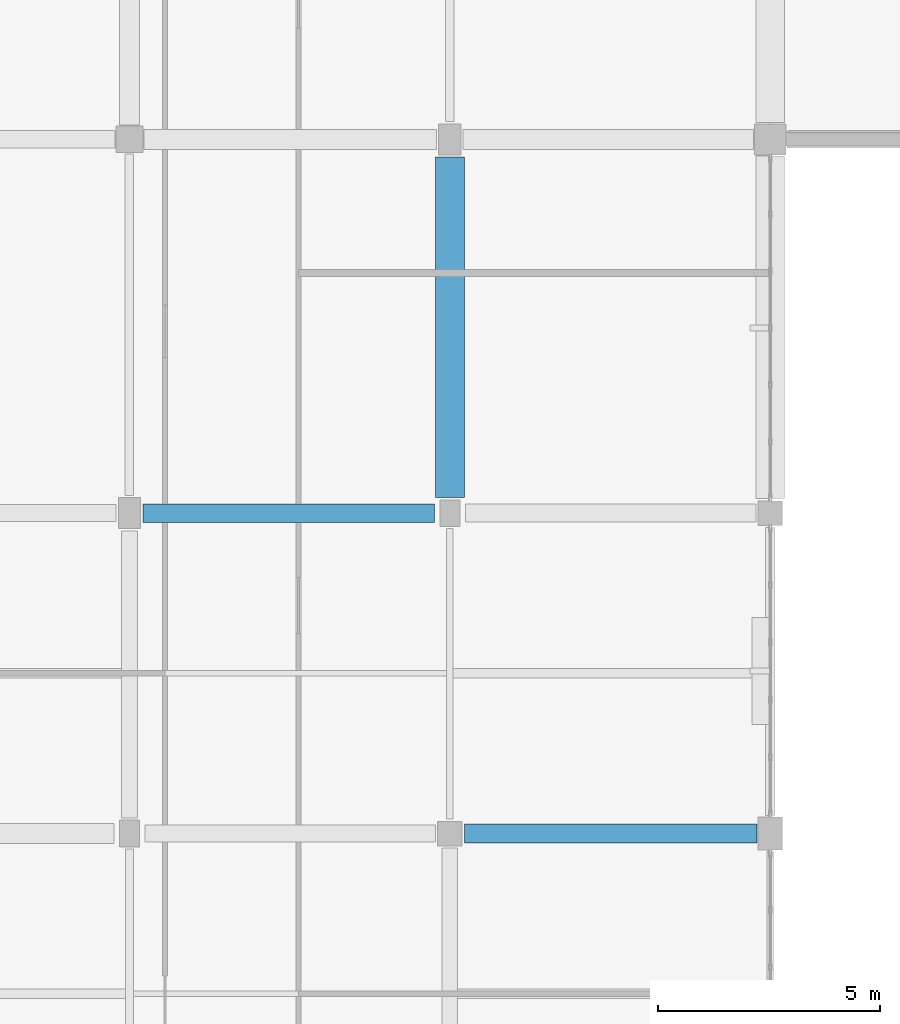
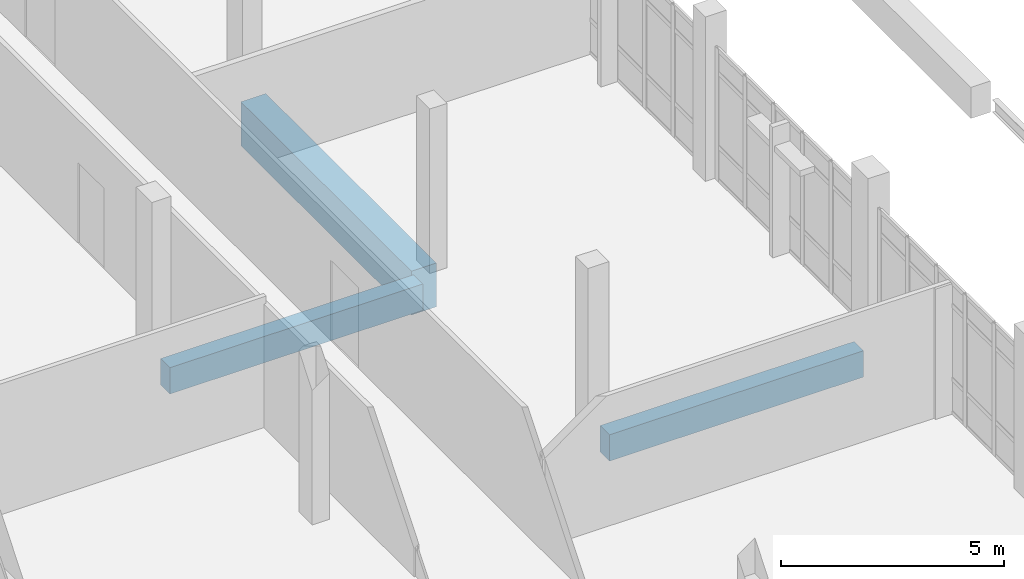
# One storey, part 28 of 87: 3 beams.
"""IFC4 building model written with IfcOpenShell, lengths in metres."""

from ifc_helpers import new_model, si_unit, direction, frame, origin, origin_2d, place, context, subcontext, project, spatial, rectangle, extrude, material, material_profile, profile_set, type_object, element, save


model = new_model("IFC4")

# Units and contexts
model_context = context("Model", 3, precision=1e-05, world=origin(), true_north=direction((0.0, 1.0)))
body_context = subcontext(model_context, "Body", "Model", "MODEL_VIEW")
ifc_project = project(units=[si_unit("LENGTHUNIT", "METRE"), si_unit("AREAUNIT", "SQUARE_METRE"), si_unit("VOLUMEUNIT", "CUBIC_METRE"), si_unit("PLANEANGLEUNIT", "RADIAN"), si_unit("MASSUNIT", "GRAM", prefix="KILO")], contexts=[model_context])

# Site, building, storey
site_placement = place(None, origin())
site = spatial("IfcSite", under=ifc_project, at=site_placement, CompositionType="ELEMENT")
building_placement = place(site_placement, origin())
building = spatial("IfcBuilding", under=site, at=building_placement, Name="Kalluvel Institute of Natural Sciences", CompositionType="ELEMENT")
storey_placement = place(building_placement, frame((0.0, 0.0, 18.89990234375)))
storey = spatial("IfcBuildingStorey", under=building, at=storey_placement, Name="L04", CompositionType="ELEMENT", Elevation=18.89990234375)

# Beams
ifc_material_1 = material(Name="Concrete M40", Category="concrete")
ifc_material_profile_1 = material_profile(ifc_material_1, rectangle(XDim=0.419921875, YDim=0.719970703125, at=origin_2d()), Name="RCB 420x720")
ifc_profile_set_1 = profile_set([ifc_material_profile_1], Name="Concrete M40")
beam_type_1 = type_object("IfcBeamType", Name="BM-RC420x720", PredefinedType="BEAM", material=ifc_profile_set_1)
beam_1_placement = place(storey_placement, frame((28.72509765625, 78.800048828125, -0.659912109375), z_axis=(1.0, 0.0, 0.0), x_axis=(0.0, 1.0, 0.0)))
element("IfcBeam", 1, at=beam_1_placement, inside=storey, type_object=beam_type_1, Name="L04 girder GIR-L04-EW-X284-Y788", PredefinedType="BEAM", context=body_context, shape_type="SweptSolid", body=[
    extrude(rectangle(XDim=0.419921875, YDim=0.719970703125, at=origin_2d()), origin(), (0.0, 0.0, 1.0), 6.574951171875),
])
beam_2_placement = place(storey_placement, frame((21.5, 86.0, -0.659912109375), z_axis=(1.0, 0.0, 0.0), x_axis=(0.0, 1.0, 0.0)))
element("IfcBeam", 2, at=beam_2_placement, inside=storey, type_object=beam_type_1, Name="L04 girder GIR-L04-EW-X212-Y860", PredefinedType="BEAM", context=body_context, shape_type="SweptSolid", body=[
    extrude(rectangle(XDim=0.419921875, YDim=0.719970703125, at=origin_2d()), origin(), (0.0, 0.0, 1.0), 6.550048828125),
])
ifc_material_2 = material(Name="Concrete M50", Category="concrete")
ifc_material_profile_2 = material_profile(ifc_material_2, rectangle(XDim=0.64990234375, YDim=1.199951171875, at=origin_2d()), Name="RCB 650x1200")
ifc_profile_set_2 = profile_set([ifc_material_profile_2], Name="Concrete M50")
beam_type_2 = type_object("IfcBeamType", Name="BM-RC650x1200", PredefinedType="BEAM", material=ifc_profile_set_2)
beam_3_placement = place(storey_placement, frame((28.39990234375, 86.35009765625, -0.89990234375), z_axis=(0.0, 1.0, 0.0), x_axis=(-1.0, 0.0, 0.0)))
element("IfcBeam", 3, at=beam_3_placement, inside=storey, type_object=beam_type_2, Name="L04 girder GIR-L04-NS-X284-Y860", PredefinedType="BEAM", context=body_context, shape_type="SweptSolid", body=[
    extrude(rectangle(XDim=0.64990234375, YDim=1.199951171875, at=origin_2d()), origin(), (0.0, 0.0, 1.0), 7.64990234375),
])

save(model, "model.ifc")
